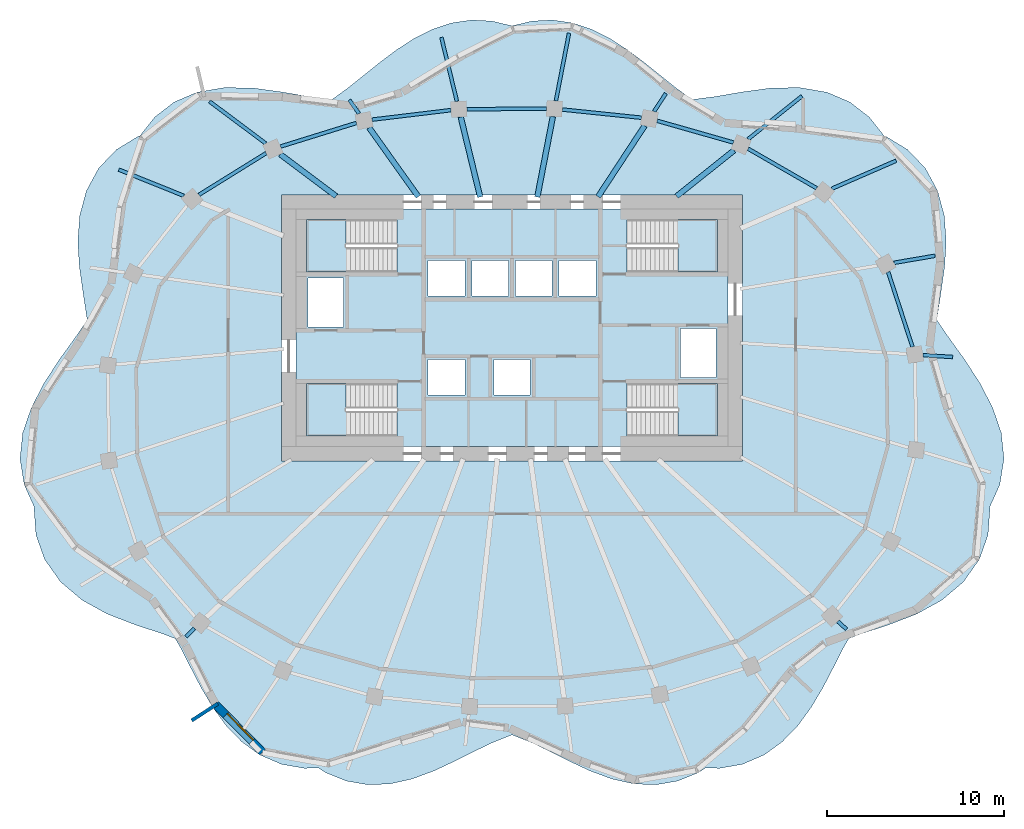
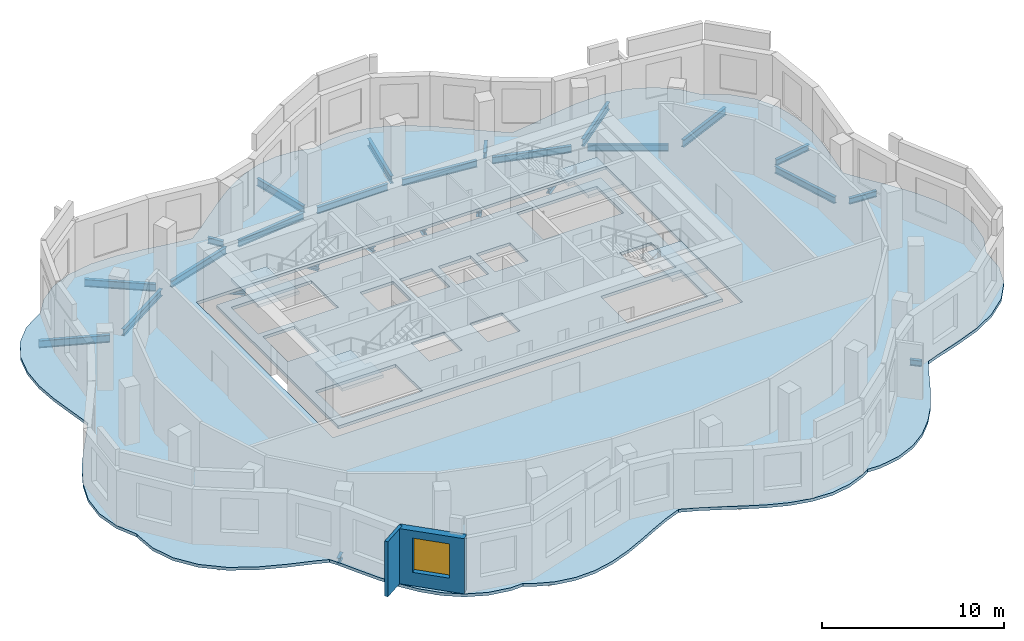
# One storey, part 2 of 8: 26 beams, 6 slabs, 2 walls, 1 window, 1 opening, 4 elements without a shape of their own.
"""IFC4 building model written with IfcOpenShell, lengths in metres."""

from ifc_helpers import new_model, si_unit, direction, frame, frame_2d, origin, origin_2d, place, context, subcontext, project, spatial, polyline, rectangle, i_section, outline, extrude, material, layer, layer_set, material_profile, profile_set, type_object, element, fill, aggregate, save


model = new_model("IFC4")

# Units and contexts
model_context = context("Model", 3, precision=1e-05, world=origin(), true_north=direction((0.0, 1.0)))
body_context = subcontext(model_context, "Body", "Model", "MODEL_VIEW")
ifc_project = project(units=[si_unit("LENGTHUNIT", "METRE"), si_unit("AREAUNIT", "SQUARE_METRE"), si_unit("VOLUMEUNIT", "CUBIC_METRE"), si_unit("PLANEANGLEUNIT", "RADIAN"), si_unit("MASSUNIT", "GRAM", prefix="KILO")], contexts=[model_context])

# Site, building, storey
site_placement = place(None, origin())
site = spatial("IfcSite", under=ifc_project, at=site_placement, CompositionType="ELEMENT")
building_placement = place(site_placement, origin())
building = spatial("IfcBuilding", under=site, at=building_placement, Name="Rubra Terraces Tower", CompositionType="ELEMENT")
storey_placement = place(building_placement, frame((0.0, 0.0, 280.5)))
storey = spatial("IfcBuildingStorey", under=building, at=storey_placement, Name="L69", CompositionType="ELEMENT", Elevation=280.5)

# Beams
ifc_material_1 = material(Name="Steel Q355B", Category="steel")
ifc_material_profile_1 = material_profile(ifc_material_1, i_section(OverallWidth=0.199951171875, OverallDepth=0.39990234375, WebThickness=0.008056640625, FlangeThickness=0.012939453125, at=origin_2d()), Name="HN 400x200x8x13")
ifc_profile_set_1 = profile_set([ifc_material_profile_1], Name="Steel Q355B")
beam_type_1 = type_object("IfcBeamType", Name="CANTILEVER BEAM HN 400x200x8x13", PredefinedType="BEAM", material=ifc_profile_set_1)
beam_1_placement = place(storey_placement, frame((23.195068359375, 2.9619140625, -0.39990234375), z_axis=(0.997842872504, -0.065647557402, 0.0), x_axis=(0.065647557402, 0.997842872504, 0.0)))
element("IfcBeam", 1, at=beam_1_placement, inside=storey, type_object=beam_type_1, Name="beam-L69-cant-01", PredefinedType="BEAM", context=body_context, shape_type="SweptSolid", body=[
    extrude(i_section(OverallWidth=0.199951171875, OverallDepth=0.39990234375, WebThickness=0.008056640625, FlangeThickness=0.012939453125, at=origin_2d()), origin(), (0.0, 0.0, 1.0), 1.673583984375),
])
beam_2_placement = place(storey_placement, frame((21.552001953125, 8.169921875, -0.39990234375), z_axis=(0.985773482055, 0.168079273192, 0.0), x_axis=(-0.168079273192, 0.985773482055, 0.0)))
element("IfcBeam", 2, at=beam_2_placement, inside=storey, type_object=beam_type_1, Name="beam-L69-cant-02", PredefinedType="BEAM", context=body_context, shape_type="SweptSolid", body=[
    extrude(i_section(OverallWidth=0.199951171875, OverallDepth=0.39990234375, WebThickness=0.008056640625, FlangeThickness=0.012939453125, at=origin_2d()), origin(), (0.0, 0.0, 1.0), 2.344482421875),
])
ifc_material_profile_2 = material_profile(ifc_material_1, i_section(OverallWidth=0.198974609375, OverallDepth=0.49609375, WebThickness=0.009033203125, FlangeThickness=0.013916015625, at=origin_2d()), Name="HN 496x199x9x14")
ifc_profile_set_2 = profile_set([ifc_material_profile_2], Name="Steel Q355B")
beam_type_2 = type_object("IfcBeamType", Name="CANTILEVER BEAM HN 496x199x9x14", PredefinedType="BEAM", material=ifc_profile_set_2)
beam_3_placement = place(storey_placement, frame((18.047119140625, 12.35205078125, -0.447998046875), z_axis=(0.916957011568, 0.398986013459, 0.0), x_axis=(-0.398986013459, 0.916957011568, 0.0)))
element("IfcBeam", 3, at=beam_3_placement, inside=storey, type_object=beam_type_2, Name="beam-L69-cant-03", PredefinedType="BEAM", context=body_context, shape_type="SweptSolid", body=[
    extrude(i_section(OverallWidth=0.198974609375, OverallDepth=0.49609375, WebThickness=0.009033203125, FlangeThickness=0.013916015625, at=origin_2d()), origin(), (0.0, 0.0, 1.0), 3.949951171875),
])
beam_4_placement = place(storey_placement, frame((13.326904296875, 15.152099609375, -0.447998046875), z_axis=(0.781187592324, 0.624296360393, 0.0), x_axis=(-0.624296360393, 0.781187592324, 0.0)))
element("IfcBeam", 4, at=beam_4_placement, inside=storey, type_object=beam_type_2, Name="beam-L69-cant-04", PredefinedType="BEAM", context=body_context, shape_type="SweptSolid", body=[
    extrude(i_section(OverallWidth=0.198974609375, OverallDepth=0.49609375, WebThickness=0.009033203125, FlangeThickness=0.013916015625, at=origin_2d()), origin(), (0.0, 0.0, 1.0), 3.884033203125),
])
beam_5_placement = place(storey_placement, frame((2.47802734375, 17.30810546875, -0.447998046875), z_axis=(0.190086340731, 0.981767377268, 0.0), x_axis=(-0.981767377268, 0.190086340731, 0.0)))
element("IfcBeam", 5, at=beam_5_placement, inside=storey, type_object=beam_type_2, Name="beam-L69-cant-06", PredefinedType="BEAM", context=body_context, shape_type="SweptSolid", body=[
    extrude(i_section(OverallWidth=0.198974609375, OverallDepth=0.49609375, WebThickness=0.009033203125, FlangeThickness=0.013916015625, at=origin_2d()), origin(), (0.0, 0.0, 1.0), 3.8876953125),
])
beam_6_placement = place(storey_placement, frame((-3.10693359375, 17.280029296875, -0.447998046875), z_axis=(-0.236180248779, 0.971709262118, 0.0), x_axis=(-0.971709262118, -0.236180248779, 0.0)))
element("IfcBeam", 6, at=beam_6_placement, inside=storey, type_object=beam_type_2, Name="beam-L69-cant-07", PredefinedType="BEAM", context=body_context, shape_type="SweptSolid", body=[
    extrude(i_section(OverallWidth=0.198974609375, OverallDepth=0.49609375, WebThickness=0.009033203125, FlangeThickness=0.013916015625, at=origin_2d()), origin(), (0.0, 0.0, 1.0), 3.708984375),
])
beam_7_placement = place(storey_placement, frame((-13.89794921875, 14.903076171875, -0.447998046875), z_axis=(-0.800563354292, 0.599248125375, 0.0), x_axis=(-0.599248125375, -0.800563354292, 0.0)))
element("IfcBeam", 7, at=beam_7_placement, inside=storey, type_object=beam_type_2, Name="beam-L69-cant-09", PredefinedType="BEAM", context=body_context, shape_type="SweptSolid", body=[
    extrude(i_section(OverallWidth=0.198974609375, OverallDepth=0.49609375, WebThickness=0.009033203125, FlangeThickness=0.013916015625, at=origin_2d()), origin(), (0.0, 0.0, 1.0), 3.949951171875),
])
beam_8_placement = place(storey_placement, frame((-18.51708984375, 11.949951171875, -0.447998046875), z_axis=(-0.927638789875, 0.373478614541, 0.0), x_axis=(-0.373478614541, -0.927638789875, 0.0)))
element("IfcBeam", 8, at=beam_8_placement, inside=storey, type_object=beam_type_2, Name="beam-L69-cant-10", PredefinedType="BEAM", context=body_context, shape_type="SweptSolid", body=[
    extrude(i_section(OverallWidth=0.198974609375, OverallDepth=0.49609375, WebThickness=0.009033203125, FlangeThickness=0.013916015625, at=origin_2d()), origin(), (0.0, 0.0, 1.0), 3.94970703125),
])
ifc_material_profile_3 = material_profile(ifc_material_1, i_section(OverallWidth=0.199951171875, OverallDepth=0.39990234375, WebThickness=0.008056640625, FlangeThickness=0.012939453125, at=origin_2d()), Name="HN 400x200x8x13")
ifc_profile_set_3 = profile_set([ifc_material_profile_3], Name="Steel Q355B")
beam_type_3 = type_object("IfcBeamType", Name="CANTILEVER STUB HN 400x200x8x13", PredefinedType="BEAM", material=ifc_profile_set_3)
beam_9_placement = place(storey_placement, frame((8.01806640625, 16.714111328125, -0.39990234375), z_axis=(0.548828065049, 0.835935257669, 0.0), x_axis=(-0.835935257669, 0.548828065049, 0.0)))
element("IfcBeam", 9, at=beam_9_placement, inside=storey, type_object=beam_type_3, Name="beam-L69-cant-05", PredefinedType="BEAM", context=body_context, shape_type="SweptSolid", body=[
    extrude(i_section(OverallWidth=0.199951171875, OverallDepth=0.39990234375, WebThickness=0.008056640625, FlangeThickness=0.012939453125, at=origin_2d()), origin(), (0.0, 0.0, 1.0), 1.211669921875),
])
beam_10_placement = place(storey_placement, frame((-8.632080078125, 16.591064453125, -0.39990234375), z_axis=(-0.581016157323, 0.813892022893, 0.0), x_axis=(-0.813892022893, -0.581016157323, 0.0)))
element("IfcBeam", 10, at=beam_10_placement, inside=storey, type_object=beam_type_3, Name="beam-L69-cant-08", PredefinedType="BEAM", context=body_context, shape_type="SweptSolid", body=[
    extrude(i_section(OverallWidth=0.199951171875, OverallDepth=0.39990234375, WebThickness=0.008056640625, FlangeThickness=0.012939453125, at=origin_2d()), origin(), (0.0, 0.0, 1.0), 0.936279296875),
])
beam_11_placement = place(storey_placement, frame((-17.9130859375, -12.462890625, -0.39990234375), z_axis=(-0.726418560873, -0.687252555048, 0.0), x_axis=(0.687252555048, -0.726418560873, 0.0)))
element("IfcBeam", 11, at=beam_11_placement, inside=storey, type_object=beam_type_3, Name="beam-L69-cant-15", PredefinedType="BEAM", context=body_context, shape_type="SweptSolid", body=[
    extrude(i_section(OverallWidth=0.199951171875, OverallDepth=0.39990234375, WebThickness=0.008056640625, FlangeThickness=0.012939453125, at=origin_2d()), origin(), (0.0, 0.0, 1.0), 0.66064453125),
])
beam_12_placement = place(storey_placement, frame((18.386962890625, -12.06591796875, -0.39990234375), z_axis=(0.742429016895, -0.669924738215, 0.0), x_axis=(0.669924738215, 0.742429016895, 0.0)))
element("IfcBeam", 12, at=beam_12_placement, inside=storey, type_object=beam_type_3, Name="beam-L69-cant-22", PredefinedType="BEAM", context=body_context, shape_type="SweptSolid", body=[
    extrude(i_section(OverallWidth=0.199951171875, OverallDepth=0.39990234375, WebThickness=0.008056640625, FlangeThickness=0.012939453125, at=origin_2d()), origin(), (0.0, 0.0, 1.0), 0.659912109375),
])
ifc_material_profile_4 = material_profile(ifc_material_1, i_section(OverallWidth=0.304931640625, OverallDepth=0.300048828125, WebThickness=0.014892578125, FlangeThickness=0.014892578125, at=origin_2d()), Name="HW 300x305x15x15")
ifc_profile_set_4 = profile_set([ifc_material_profile_4], Name="Steel Q355B")
beam_type_4 = type_object("IfcBeamType", Name="FLOOR BEAM HW 300x305x15x15", PredefinedType="BEAM", material=ifc_profile_set_4)
beam_13_placement = place(storey_placement, frame((12.527099609375, 14.511962890625, -0.35009765625), z_axis=(-0.781190597938, -0.624292599423, 0.0), x_axis=(0.624292599423, -0.781190597938, 0.0)))
element("IfcBeam", 13, at=beam_13_placement, inside=storey, type_object=beam_type_4, Name="beam-L69-floor-04", PredefinedType="BEAM", context=body_context, shape_type="SweptSolid", body=[
    extrude(i_section(OverallWidth=0.304931640625, OverallDepth=0.300048828125, WebThickness=0.014892578125, FlangeThickness=0.014892578125, at=origin_2d()), origin(), (0.0, 0.0, 1.0), 4.143798828125),
])
beam_14_placement = place(storey_placement, frame((7.48388671875, 15.89990234375, -0.35009765625), z_axis=(-0.548799087814, -0.835954281773, 0.0), x_axis=(0.835954281773, -0.548799087814, 0.0)))
element("IfcBeam", 14, at=beam_14_placement, inside=storey, type_object=beam_type_4, Name="beam-L69-floor-05", PredefinedType="BEAM", context=body_context, shape_type="SweptSolid", body=[
    extrude(i_section(OverallWidth=0.304931640625, OverallDepth=0.300048828125, WebThickness=0.014892578125, FlangeThickness=0.014892578125, at=origin_2d()), origin(), (0.0, 0.0, 1.0), 4.784912109375),
])
beam_15_placement = place(storey_placement, frame((2.305908203125, 16.416015625, -0.35009765625), z_axis=(-0.190104093884, -0.981763939798, 0.0), x_axis=(0.981763939798, -0.190104093884, 0.0)))
element("IfcBeam", 15, at=beam_15_placement, inside=storey, type_object=beam_type_4, Name="beam-L69-floor-06", PredefinedType="BEAM", context=body_context, shape_type="SweptSolid", body=[
    extrude(i_section(OverallWidth=0.304931640625, OverallDepth=0.300048828125, WebThickness=0.014892578125, FlangeThickness=0.014892578125, at=origin_2d()), origin(), (0.0, 0.0, 1.0), 4.6181640625),
])
beam_16_placement = place(storey_placement, frame((-2.89111328125, 16.39208984375, -0.35009765625), z_axis=(0.236229407797, -0.971697312383, 0.0), x_axis=(0.971697312383, 0.236229407797, 0.0)))
element("IfcBeam", 16, at=beam_16_placement, inside=storey, type_object=beam_type_4, Name="beam-L69-floor-07", PredefinedType="BEAM", context=body_context, shape_type="SweptSolid", body=[
    extrude(i_section(OverallWidth=0.304931640625, OverallDepth=0.300048828125, WebThickness=0.014892578125, FlangeThickness=0.014892578125, at=origin_2d()), origin(), (0.0, 0.0, 1.0), 4.640380859375),
])
beam_17_placement = place(storey_placement, frame((-8.06201171875, 15.79296875, -0.35009765625), z_axis=(0.580948286594, -0.813940469754, 0.0), x_axis=(0.813940469754, 0.580948286594, 0.0)))
element("IfcBeam", 17, at=beam_17_placement, inside=storey, type_object=beam_type_4, Name="beam-L69-floor-08", PredefinedType="BEAM", context=body_context, shape_type="SweptSolid", body=[
    extrude(i_section(OverallWidth=0.304931640625, OverallDepth=0.300048828125, WebThickness=0.014892578125, FlangeThickness=0.014892578125, at=origin_2d()), origin(), (0.0, 0.0, 1.0), 4.7802734375),
])
beam_18_placement = place(storey_placement, frame((-13.075927734375, 14.2890625, -0.35009765625), z_axis=(0.800431185592, -0.599424655092, 0.0), x_axis=(0.599424655092, 0.800431185592, 0.0)))
element("IfcBeam", 18, at=beam_18_placement, inside=storey, type_object=beam_type_4, Name="beam-L69-floor-09", PredefinedType="BEAM", context=body_context, shape_type="SweptSolid", body=[
    extrude(i_section(OverallWidth=0.304931640625, OverallDepth=0.300048828125, WebThickness=0.014892578125, FlangeThickness=0.014892578125, at=origin_2d()), origin(), (0.0, 0.0, 1.0), 3.93896484375),
])
ifc_material_profile_5 = material_profile(ifc_material_1, i_section(OverallWidth=0.198974609375, OverallDepth=0.446044921875, WebThickness=0.008056640625, FlangeThickness=0.011962890625, at=origin_2d()), Name="HN 446x199x8x12")
ifc_profile_set_5 = profile_set([ifc_material_profile_5], Name="Steel Q355B")
beam_type_5 = type_object("IfcBeamType", Name="SPANDREL BEAM HN 446x199x8x12", PredefinedType="SPANDREL", material=ifc_profile_set_5)
beam_19_placement = place(storey_placement, frame((22.593994140625, 3.426025390625, -0.423095703125), z_axis=(-0.308536942246, 0.951212360764, 0.0), x_axis=(-0.951212360764, -0.308536942246, 0.0)))
element("IfcBeam", 19, at=beam_19_placement, inside=storey, type_object=beam_type_5, Name="beam-L69-spandrel-01", PredefinedType="SPANDREL", context=body_context, shape_type="SweptSolid", body=[
    extrude(i_section(OverallWidth=0.198974609375, OverallDepth=0.446044921875, WebThickness=0.008056640625, FlangeThickness=0.011962890625, at=origin_2d()), origin(), (0.0, 0.0, 1.0), 4.44384765625),
])
beam_20_placement = place(storey_placement, frame((17.18798828125, 12.37890625, -0.423095703125), z_axis=(-0.866616005945, 0.498975648945, 0.0), x_axis=(-0.498975648945, -0.866616005945, 0.0)))
element("IfcBeam", 20, at=beam_20_placement, inside=storey, type_object=beam_type_5, Name="beam-L69-spandrel-03", PredefinedType="SPANDREL", context=body_context, shape_type="SweptSolid", body=[
    extrude(i_section(OverallWidth=0.198974609375, OverallDepth=0.446044921875, WebThickness=0.008056640625, FlangeThickness=0.011962890625, at=origin_2d()), origin(), (0.0, 0.0, 1.0), 4.463134765625),
])
beam_21_placement = place(storey_placement, frame((12.490966796875, 14.9560546875, -0.423095703125), z_axis=(-0.961713024643, 0.27405849418, 0.0), x_axis=(-0.27405849418, -0.961713024643, 0.0)))
element("IfcBeam", 21, at=beam_21_placement, inside=storey, type_object=beam_type_5, Name="beam-L69-spandrel-04", PredefinedType="SPANDREL", context=body_context, shape_type="SweptSolid", body=[
    extrude(i_section(OverallWidth=0.198974609375, OverallDepth=0.446044921875, WebThickness=0.008056640625, FlangeThickness=0.011962890625, at=origin_2d()), origin(), (0.0, 0.0, 1.0), 4.477294921875),
])
beam_22_placement = place(storey_placement, frame((7.302001953125, 16.35400390625, -0.423095703125), z_axis=(-0.994684107425, 0.102973425873, 0.0), x_axis=(-0.102973425873, -0.994684107425, 0.0)))
element("IfcBeam", 22, at=beam_22_placement, inside=storey, type_object=beam_type_5, Name="beam-L69-spandrel-05", PredefinedType="SPANDREL", context=body_context, shape_type="SweptSolid", body=[
    extrude(i_section(OverallWidth=0.198974609375, OverallDepth=0.446044921875, WebThickness=0.008056640625, FlangeThickness=0.011962890625, at=origin_2d()), origin(), (0.0, 0.0, 1.0), 4.48583984375),
])
beam_23_placement = place(storey_placement, frame((1.94091796875, 16.860107421875, -0.423095703125), z_axis=(-0.999987753188, -0.004949088244, 0.0), x_axis=(0.004949088244, -0.999987753188, 0.0)))
element("IfcBeam", 23, at=beam_23_placement, inside=storey, type_object=beam_type_5, Name="beam-L69-spandrel-06", PredefinedType="SPANDREL", context=body_context, shape_type="SweptSolid", body=[
    extrude(i_section(OverallWidth=0.198974609375, OverallDepth=0.446044921875, WebThickness=0.008056640625, FlangeThickness=0.011962890625, at=origin_2d()), origin(), (0.0, 0.0, 1.0), 4.489013671875),
])
beam_24_placement = place(storey_placement, frame((-3.447021484375, 16.781982421875, -0.423095703125), z_axis=(-0.992829862118, -0.119536040116, 0.0), x_axis=(0.119536040116, -0.992829862118, 0.0)))
element("IfcBeam", 24, at=beam_24_placement, inside=storey, type_object=beam_type_5, Name="beam-L69-spandrel-07", PredefinedType="SPANDREL", context=body_context, shape_type="SweptSolid", body=[
    extrude(i_section(OverallWidth=0.198974609375, OverallDepth=0.446044921875, WebThickness=0.008056640625, FlangeThickness=0.011962890625, at=origin_2d()), origin(), (0.0, 0.0, 1.0), 4.483154296875),
])
beam_25_placement = place(storey_placement, frame((-8.779052734375, 16.05810546875, -0.423095703125), z_axis=(-0.955035382264, -0.296491852541, 0.0), x_axis=(0.296491852541, -0.955035382264, 0.0)))
element("IfcBeam", 25, at=beam_25_placement, inside=storey, type_object=beam_type_5, Name="beam-L69-spandrel-08", PredefinedType="SPANDREL", context=body_context, shape_type="SweptSolid", body=[
    extrude(i_section(OverallWidth=0.198974609375, OverallDepth=0.446044921875, WebThickness=0.008056640625, FlangeThickness=0.011962890625, at=origin_2d()), origin(), (0.0, 0.0, 1.0), 4.47607421875),
])
beam_26_placement = place(storey_placement, frame((-13.8720703125, 14.35693359375, -0.423095703125), z_axis=(-0.849641857012, -0.527360137679, 0.0), x_axis=(0.527360137679, -0.849641857012, 0.0)))
element("IfcBeam", 26, at=beam_26_placement, inside=storey, type_object=beam_type_5, Name="beam-L69-spandrel-09", PredefinedType="SPANDREL", context=body_context, shape_type="SweptSolid", body=[
    extrude(i_section(OverallWidth=0.198974609375, OverallDepth=0.446044921875, WebThickness=0.008056640625, FlangeThickness=0.011962890625, at=origin_2d()), origin(), (0.0, 0.0, 1.0), 4.4619140625),
])

# Slab
ifc_material_2 = material(Name="Concrete C40", Category="concrete")
ifc_layer_1 = layer(ifc_material_2, 0.199951171875)
ifc_layer_set_1 = layer_set([ifc_layer_1], Name="Concrete C40")
slab_type_1 = type_object("IfcSlabType", Name="Core floor slab 200 concrete", PredefinedType="FLOOR", material=ifc_layer_set_1)
slab_1_placement = place(storey_placement, frame((0.0, 0.0, -0.199951171875)))
element("IfcSlab", 27, at=slab_1_placement, inside=storey, type_object=slab_type_1, Name="CORE FLOOR SLAB L69", PredefinedType="FLOOR", context=body_context, shape_type="SweptSolid", body=[
    extrude(outline(polyline([(-12.199951171875, -2.199951171875), (-12.199951171875, 11.199951171875), (12.199951171875, 11.199951171875), (12.199951171875, -2.199951171875), (-12.199951171875, -2.199951171875)]), holes=[polyline([(11.597900390625, 1.347900390625), (6.501953125, 1.347900390625), (6.501953125, -1.597900390625), (11.597900390625, -1.597900390625), (11.597900390625, 1.347900390625)]), polyline([(11.597900390625, 7.652099609375), (11.597900390625, 10.597900390625), (6.501953125, 10.597900390625), (6.501953125, 7.652099609375), (11.597900390625, 7.652099609375)]), polyline([(9.5, 1.699951171875), (11.5, 1.699951171875), (11.5, 4.449951171875), (9.5, 4.449951171875), (9.5, 1.699951171875)]), polyline([(4.75, 6.300048828125), (4.75, 8.300048828125), (2.64990234375, 8.300048828125), (2.64990234375, 6.300048828125), (4.75, 6.300048828125)]), polyline([(2.25, 8.300048828125), (0.199951171875, 8.300048828125), (0.199951171875, 6.300048828125), (2.25, 6.300048828125), (2.25, 8.300048828125)]), polyline([(1.02490234375, 0.699951171875), (1.02490234375, 2.699951171875), (-1.02490234375, 2.699951171875), (-1.02490234375, 0.699951171875), (1.02490234375, 0.699951171875)]), polyline([(-0.199951171875, 6.300048828125), (-0.199951171875, 8.300048828125), (-2.25, 8.300048828125), (-2.25, 6.300048828125), (-0.199951171875, 6.300048828125)]), polyline([(-4.75, 8.300048828125), (-4.75, 6.300048828125), (-2.64990234375, 6.300048828125), (-2.64990234375, 8.300048828125), (-4.75, 8.300048828125)]), polyline([(-2.64990234375, 0.699951171875), (-2.64990234375, 2.699951171875), (-4.75, 2.699951171875), (-4.75, 0.699951171875), (-2.64990234375, 0.699951171875)]), polyline([(-11.597900390625, -1.597900390625), (-6.501953125, -1.597900390625), (-6.501953125, 1.347900390625), (-11.597900390625, 1.347900390625), (-11.597900390625, -1.597900390625)]), polyline([(-11.597900390625, 10.597900390625), (-11.597900390625, 7.652099609375), (-6.501953125, 7.652099609375), (-6.501953125, 10.597900390625), (-11.597900390625, 10.597900390625)]), polyline([(-9.5, 4.550048828125), (-9.5, 7.300048828125), (-11.5, 7.300048828125), (-11.5, 4.550048828125), (-9.5, 4.550048828125)])]), origin(), (0.0, 0.0, 1.0), 0.199951171875),
])

# Stair, slab
stair_type = type_object("IfcStairType", Name="Core stair 1400", PredefinedType="HALF_TURN_STAIR", material=ifc_material_2)
stair_1_placement = place(storey_placement, origin())
stair_1 = element("IfcStair", 28, at=stair_1_placement, inside=storey, type_object=stair_type, Name="L69 Exit stair S1", PredefinedType="HALF_TURN_STAIR")
ifc_layer_2 = layer(ifc_material_2, 0.199951171875)
ifc_layer_set_2 = layer_set([ifc_layer_2], Name="Concrete C40")
slab_type_2 = type_object("IfcSlabType", Name="Core stair landing 200", PredefinedType="LANDING", material=ifc_layer_set_2)
slab_2_placement = place(storey_placement, frame((0.0, 0.0, 1.75)))
slab_2 = element("IfcSlab", 29, at=slab_2_placement, type_object=slab_type_2, Name="S1 landing 1", PredefinedType="LANDING", context=body_context, shape_type="SweptSolid", body=[
    extrude(outline(polyline([(-8.97998046875, -0.199951171875), (-8.97998046875, -1.60009765625), (-9.360107421875, -1.60009765625), (-9.3798828125, -1.60009765625), (-11.60009765625, -1.60009765625), (-11.60009765625, 1.35009765625), (-9.3798828125, 1.35009765625), (-9.35791015625, 1.35009765625), (-9.35791015625, -0.050048828125), (-9.360107421875, -0.050048828125), (-9.360107421875, -0.199951171875), (-8.97998046875, -0.199951171875)])), origin(), (0.0, 0.0, 1.0), 0.199951171875),
])
aggregate(stair_1, [slab_2])

stair_2_placement = place(storey_placement, origin())
stair_2 = element("IfcStair", 30, at=stair_2_placement, inside=storey, type_object=stair_type, Name="L69 Exit stair S2", PredefinedType="HALF_TURN_STAIR")
slab_3_placement = place(storey_placement, frame((0.0, 0.0, 1.75)))
slab_3 = element("IfcSlab", 31, at=slab_3_placement, type_object=slab_type_2, Name="S2 landing 1", PredefinedType="LANDING", context=body_context, shape_type="SweptSolid", body=[
    extrude(outline(polyline([(-8.97998046875, 9.050048828125), (-8.97998046875, 7.64990234375), (-9.3798828125, 7.64990234375), (-11.60009765625, 7.64990234375), (-11.60009765625, 10.60009765625), (-9.3798828125, 10.60009765625), (-9.360107421875, 10.60009765625), (-9.35791015625, 10.60009765625), (-9.35791015625, 9.199951171875), (-9.360107421875, 9.199951171875), (-9.360107421875, 9.050048828125), (-8.97998046875, 9.050048828125)])), origin(), (0.0, 0.0, 1.0), 0.199951171875),
])
aggregate(stair_2, [slab_3])

stair_3_placement = place(storey_placement, origin())
stair_3 = element("IfcStair", 32, at=stair_3_placement, inside=storey, type_object=stair_type, Name="L69 Exit stair S3", PredefinedType="HALF_TURN_STAIR")
slab_4_placement = place(storey_placement, frame((0.0, 0.0, 1.75)))
slab_4 = element("IfcSlab", 33, at=slab_4_placement, type_object=slab_type_2, Name="S3 landing 1", PredefinedType="LANDING", context=body_context, shape_type="SweptSolid", body=[
    extrude(outline(polyline([(9.360107421875, 9.050048828125), (9.360107421875, 9.199951171875), (8.97998046875, 9.199951171875), (8.97998046875, 10.60009765625), (9.360107421875, 10.60009765625), (9.3798828125, 10.60009765625), (11.60009765625, 10.60009765625), (11.60009765625, 7.64990234375), (9.3798828125, 7.64990234375), (9.35791015625, 7.64990234375), (9.35791015625, 9.050048828125), (9.360107421875, 9.050048828125)])), origin(), (0.0, 0.0, 1.0), 0.199951171875),
])
aggregate(stair_3, [slab_4])

stair_4_placement = place(storey_placement, origin())
stair_4 = element("IfcStair", 34, at=stair_4_placement, inside=storey, type_object=stair_type, Name="L69 Exit stair S4", PredefinedType="HALF_TURN_STAIR")
slab_5_placement = place(storey_placement, frame((0.0, 0.0, 1.75)))
slab_5 = element("IfcSlab", 35, at=slab_5_placement, type_object=slab_type_2, Name="S4 landing 1", PredefinedType="LANDING", context=body_context, shape_type="SweptSolid", body=[
    extrude(outline(polyline([(9.360107421875, -0.199951171875), (9.360107421875, -0.050048828125), (8.97998046875, -0.050048828125), (8.97998046875, 1.35009765625), (9.360107421875, 1.35009765625), (9.3798828125, 1.35009765625), (11.60009765625, 1.35009765625), (11.60009765625, -1.60009765625), (9.3798828125, -1.60009765625), (9.360107421875, -1.60009765625), (9.35791015625, -1.60009765625), (9.35791015625, -0.199951171875), (9.360107421875, -0.199951171875)])), origin(), (0.0, 0.0, 1.0), 0.199951171875),
])
aggregate(stair_4, [slab_5])

# Slab
ifc_layer_3 = layer(ifc_material_2, 0.199951171875)
ifc_layer_set_3 = layer_set([ifc_layer_3], Name="Concrete C40")
slab_type_3 = type_object("IfcSlabType", Name="FLOOR SLAB 200 COMPOSITE", PredefinedType="FLOOR", material=ifc_layer_set_3)
slab_6_placement = place(storey_placement, frame((0.0, 0.0, -0.199951171875)))
element("IfcSlab", 36, at=slab_6_placement, inside=storey, type_object=slab_type_3, Name="FLOOR SLAB L69", PredefinedType="FLOOR", context=body_context, shape_type="SweptSolid", body=[
    extrude(outline(polyline([(18.68603515625, -13.575927734375), (18.998046875, -13.033935546875), (19.68798828125, -12.76904296875), (21.23095703125, -12.264892578125), (22.845947265625, -11.64111328125), (24.2529296875, -10.863037109375), (25.468017578125, -9.8359375), (26.367919921875, -8.56689453125), (26.85693359375, -7.18896484375), (26.966064453125, -5.718017578125), (26.949951171875, -5.618896484375), (27.52001953125, -4.35888671875), (27.758056640625, -2.89501953125), (27.60400390625, -1.422119140625), (27.116943359375, 0.0), (26.39990234375, 1.382080078125), (25.549072265625, 2.694091796875), (24.676025390625, 3.907958984375), (23.97607421875, 4.924072265625), (23.986083984375, 5.06591796875), (24.195068359375, 6.444091796875), (24.408935546875, 7.930908203125), (24.4990234375, 9.3798828125), (24.387939453125, 10.840087890625), (24.011962890625, 12.235107421875), (23.31494140625, 13.51611328125), (22.318115234375, 14.55810546875), (21.076904296875, 15.31298828125), (20.986083984375, 15.342041015625), (20.157958984375, 16.39111328125), (19.06201171875, 17.238037109375), (17.787109375, 17.787109375), (16.205078125, 18.05908203125), (14.56103515625, 18.02392578125), (12.93310546875, 17.801025390625), (11.493896484375, 17.552001953125), (10.166015625, 17.3798828125), (10.117919921875, 17.408935546875), (9.2080078125, 18.072021484375), (8.35205078125, 18.756103515625), (7.468017578125, 19.468017578125), (6.550048828125, 20.159912109375), (5.5458984375, 20.81201171875), (4.5048828125, 21.339111328125), (3.43701171875, 21.697998046875), (2.2880859375, 21.867919921875), (1.136962890625, 21.80908203125), (0.0, 21.537109375), (-1.136962890625, 21.80908203125), (-2.2880859375, 21.867919921875), (-3.43701171875, 21.697998046875), (-4.5048828125, 21.339111328125), (-5.5458984375, 20.81201171875), (-6.550048828125, 20.159912109375), (-7.468017578125, 19.468017578125), (-8.35205078125, 18.756103515625), (-9.2080078125, 18.072021484375), (-10.117919921875, 17.408935546875), (-10.166015625, 17.3798828125), (-11.493896484375, 17.552001953125), (-12.93310546875, 17.801025390625), (-14.56103515625, 18.02392578125), (-16.205078125, 18.05908203125), (-17.787109375, 17.787109375), (-19.06201171875, 17.238037109375), (-20.157958984375, 16.39111328125), (-21.032958984375, 15.281982421875), (-20.986083984375, 15.342041015625), (-21.076904296875, 15.31298828125), (-22.318115234375, 14.55810546875), (-23.31494140625, 13.51611328125), (-24.011962890625, 12.235107421875), (-24.387939453125, 10.840087890625), (-24.4990234375, 9.3798828125), (-24.408935546875, 7.930908203125), (-24.195068359375, 6.444091796875), (-23.986083984375, 5.06591796875), (-23.97607421875, 4.924072265625), (-24.676025390625, 3.907958984375), (-25.549072265625, 2.694091796875), (-26.39990234375, 1.382080078125), (-27.116943359375, 0.0), (-27.60400390625, -1.422119140625), (-27.758056640625, -2.89501953125), (-27.52001953125, -4.35888671875), (-26.949951171875, -5.618896484375), (-26.966064453125, -5.718017578125), (-26.85693359375, -7.18896484375), (-26.367919921875, -8.56689453125), (-25.468017578125, -9.8359375), (-24.2529296875, -10.863037109375), (-22.845947265625, -11.64111328125), (-21.23095703125, -12.264892578125), (-19.68798828125, -12.76904296875), (-18.9990234375, -13.033935546875), (-18.68603515625, -13.575927734375), (-18.14306640625, -14.64404296875), (-17.55908203125, -15.77001953125), (-16.89501953125, -16.89501953125), (-16.1259765625, -17.947021484375), (-15.238037109375, -18.864990234375), (-14.23388671875, -19.591064453125), (-13.013916015625, -20.12109375), (-11.705078125, -20.35302734375), (-10.344970703125, -20.302978515625), (-10.93408203125, -20.324951171875), (-10.498046875, -20.60302734375), (-9.344970703125, -21.069091796875), (-8.137939453125, -21.279052734375), (-6.89892578125, -21.23291015625), (-5.633056640625, -20.951904296875), (-4.3798828125, -20.487060546875), (-3.154052734375, -19.912109375), (-2.0859375, -19.3740234375), (-1.0390625, -18.873046875), (0.0, -18.462890625), (1.0390625, -18.873046875), (2.0859375, -19.3740234375), (3.154052734375, -19.912109375), (4.3798828125, -20.487060546875), (5.633056640625, -20.951904296875), (6.89892578125, -21.23291015625), (8.137939453125, -21.279052734375), (9.344970703125, -21.069091796875), (10.498046875, -20.60302734375), (11.498046875, -19.965087890625), (10.93408203125, -20.324951171875), (11.705078125, -20.35302734375), (13.013916015625, -20.12109375), (14.23388671875, -19.591064453125), (15.238037109375, -18.864990234375), (16.1259765625, -17.947021484375), (16.89501953125, -16.89501953125), (17.55908203125, -15.77001953125), (18.14306640625, -14.64404296875), (18.68603515625, -13.575927734375)]), holes=[polyline([(13.0, 12.0), (13.0, -3.0), (-13.0, -3.0), (-13.0, 12.0), (13.0, 12.0)])]), origin(), (0.0, 0.0, 1.0), 0.199951171875),
])

# Wall, opening, window
ifc_material_3 = material(Name="Brick masonry red-brown", Category="masonry")
ifc_layer_4 = layer(ifc_material_3, 0.449951171875)
ifc_layer_set_4 = layer_set([ifc_layer_4], Name="Brick masonry red-brown")
wall_type_1 = type_object("IfcWallType", Name="Brick facade wall 450", PredefinedType="SOLIDWALL", material=ifc_layer_set_4)
wall_1_placement = place(storey_placement, frame((-16.73486328125, -16.73681640625, 0.0), z_axis=(0.0, 0.0, 1.0), x_axis=(0.702451084622, -0.711732023808, 0.0)))
wall_1 = element("IfcWall", 37, at=wall_1_placement, inside=storey, type_object=wall_type_1, Name="Facade wall L69 bay 26", PredefinedType="SOLIDWALL", context=body_context, shape_type="SweptSolid", body=[
    extrude(rectangle(XDim=3.7880859375, YDim=0.449951171875, at=frame_2d((1.89404296875, 0.0))), origin(), (0.0, 0.0, 1.0), 3.699951171875),
])
opening_placement = place(wall_1_placement, frame((0.843994140625, 0.0, 0.89990234375)))
opening = element("IfcOpeningElement", 38, at=opening_placement, cuts=wall_1, Name="Opening W1B", PredefinedType="OPENING", context=body_context, shape_type="SweptSolid", body=[
    extrude(rectangle(XDim=2.10009765625, YDim=2.300048828125, at=frame_2d((1.050048828125, 1.14990234375))), frame((0.0, 0.23486328125, 0.0), z_axis=(0.0, -1.0, 0.0), x_axis=(1.0, 0.0, 0.0)), (0.0, 0.0, 1.0), 0.469970703125),
])
ifc_material_4 = material(Name="Clear glass in aluminium frame", Category="aluminium")
window_type = type_object("IfcWindowType", Name="Fixed deep-set window tall storey 2100 x 2300", PartitioningType="SINGLE_PANEL", PredefinedType="WINDOW", material=ifc_material_4)
window_placement = place(opening_placement, origin())
window = element("IfcWindow", 39, at=window_placement, inside=storey, type_object=window_type, Name="Window L69 bay 26", OverallHeight=2.300048828125, OverallWidth=2.10009765625, PartitioningType="SINGLE_PANEL", PredefinedType="WINDOW", context=body_context, shape_type="SweptSolid", body=[
    extrude(rectangle(XDim=2.10009765625, YDim=2.300048828125, at=frame_2d((1.050048828125, 1.14990234375))), frame((0.0, 0.135009765625, 0.0), z_axis=(0.0, -1.0, 0.0), x_axis=(1.0, 0.0, 0.0)), (0.0, 0.0, 1.0), 0.06005859375),
])
fill(opening, window)

# Wall
ifc_layer_5 = layer(ifc_material_3, 0.199951171875)
ifc_layer_set_5 = layer_set([ifc_layer_5], Name="Brick masonry red-brown")
wall_type_2 = type_object("IfcWallType", Name="Brick wind fin 200", PredefinedType="SOLIDWALL", material=ifc_layer_set_5)
wall_2_placement = place(storey_placement, frame((-16.60205078125, -16.702880859375, 0.0), z_axis=(0.0, 0.0, 1.0), x_axis=(-0.8390232549, -0.54409555938, 0.0)))
element("IfcWall", 40, at=wall_2_placement, inside=storey, type_object=wall_type_2, Name="Wind fin L69 13", PredefinedType="SOLIDWALL", context=body_context, shape_type="SweptSolid", body=[
    extrude(rectangle(XDim=1.75, YDim=0.199951171875, at=frame_2d((0.875, 0.0))), origin(), (0.0, 0.0, 1.0), 3.699951171875),
])

save(model, "model.ifc")
